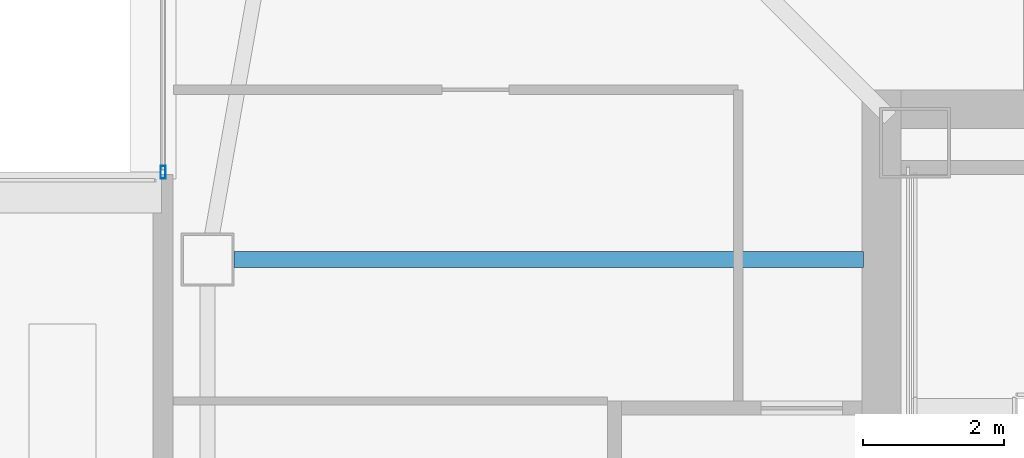
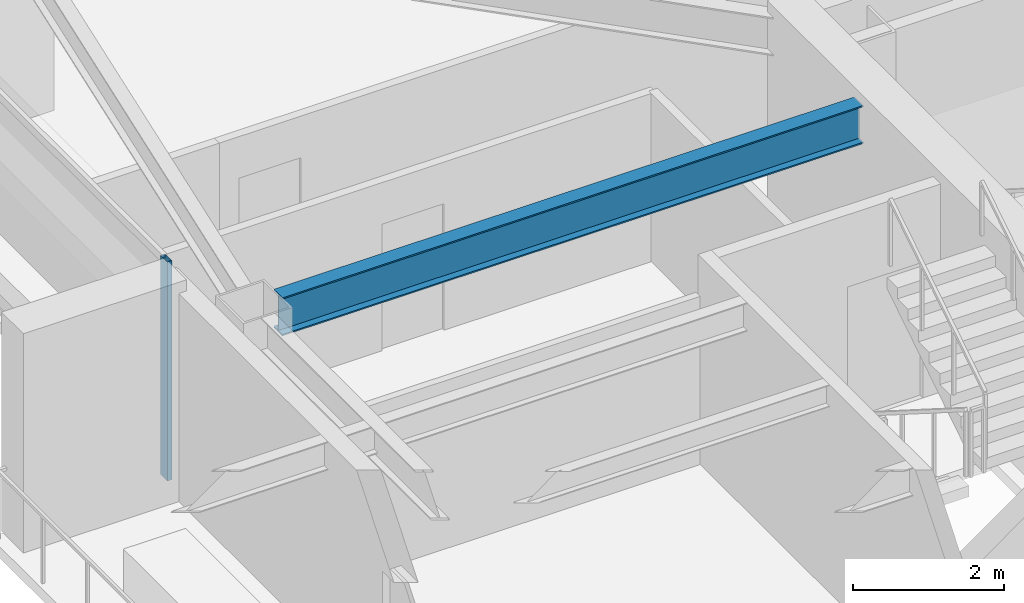
# One storey, part 7 of 41: 1 beam, 1 member, 1 element without a shape of its own.
"""IFC4 building model written with IfcOpenShell, lengths in metres."""

import ifcopenshell
import ifcopenshell.guid

model = None  # the IFC model being written
_history = None  # IfcOwnerHistory: only IFC2X3 demands one
_inside = {}  # id of a spatial element -> (the spatial element, [elements in it])
_under = {}  # id of a project, library or spatial element -> (it, [spatial elements below it])
_declared = {}  # id of a project -> (the project, [libraries it declares])
_typed = {}  # id of a type object -> (the type object, [elements of that type])
_made_of = {}  # id of a material, layer set ... -> (it, [elements and type objects made of it])


def new_model(schema):
    """Start an empty IFC model of exactly this schema.

    Asked for "IFC4X3", IfcOpenShell would pick the latest addendum, in which some entities
    have other attributes; the version numbers below select the first issue.
    IFC2X3 requires an IfcOwnerHistory on every rooted entity: one is made here for all.
    """
    global model, _history
    if schema == "IFC4X3":
        model = ifcopenshell.file(schema_version=(4, 3, 0, 0))
    else:
        model = ifcopenshell.file(schema=schema)
    _inside.clear()
    _under.clear()
    _declared.clear()
    _typed.clear()
    _made_of.clear()
    _history = None
    if model.schema == "IFC2X3":
        org = make("IfcOrganization", Name="unknown")
        user = make(
            "IfcPersonAndOrganization",
            ThePerson=make("IfcPerson", FamilyName="unknown"),
            TheOrganization=org,
        )
        app = make(
            "IfcApplication",
            ApplicationDeveloper=org,
            Version="unknown",
            ApplicationFullName="unknown",
            ApplicationIdentifier="unknown",
        )
        _history = make(
            "IfcOwnerHistory",
            OwningUser=user,
            OwningApplication=app,
            ChangeAction="ADDED",
            CreationDate=0,
        )
    return model


def make(cls, **values):
    """One entity of the class cls with the attributes given. An attribute that is None is left unset."""
    return model.create_entity(
        cls, **{name: value for name, value in values.items() if value is not None}
    )


def rooted(cls, **values):
    """An entity with a GlobalId (a new one), such as an element, a storey or a relation."""
    return make(cls, GlobalId=ifcopenshell.guid.new(), OwnerHistory=_history, **values)


def si_unit(unit_type, name, prefix=None):
    """IfcSIUnit, for example si_unit("LENGTHUNIT", "METRE", prefix="MILLI")."""
    return make("IfcSIUnit", UnitType=unit_type, Prefix=prefix, Name=name)


def assignment(units):
    """IfcUnitAssignment: the units of a project."""
    return None if units is None else make("IfcUnitAssignment", Units=units)


def point(xyz):
    """IfcCartesianPoint."""
    return None if xyz is None else make("IfcCartesianPoint", Coordinates=xyz)


def direction(xyz):
    """IfcDirection."""
    return None if xyz is None else make("IfcDirection", DirectionRatios=xyz)


def frame(location, z_axis=None, x_axis=None):
    """IfcAxis2Placement3D, a coordinate frame: its origin and axes. An axis left out is left unset."""
    return make(
        "IfcAxis2Placement3D",
        Location=point(location),
        Axis=direction(z_axis),
        RefDirection=direction(x_axis),
    )


def frame_2d(location, x_axis=None):
    """IfcAxis2Placement2D, a coordinate frame in the plane: its origin and x axis."""
    return make(
        "IfcAxis2Placement2D", Location=point(location), RefDirection=direction(x_axis)
    )


def origin():
    """The frame at (0, 0, 0) with its axes left unset."""
    return frame((0.0, 0.0, 0.0))


def origin_2d():
    """The frame at (0, 0) in the plane with its x axis left unset."""
    return frame_2d((0.0, 0.0))


def place(relative_to, where):
    """IfcLocalPlacement: puts the frame where relative to a parent placement (None: the world)."""
    return make(
        "IfcLocalPlacement", PlacementRelTo=relative_to, RelativePlacement=where
    )


def context(
    kind, dimensions, precision=None, world=None, true_north=None, identifier=None
):
    """IfcGeometricRepresentationContext, for example the 3D "Model" context."""
    return make(
        "IfcGeometricRepresentationContext",
        ContextIdentifier=identifier,
        ContextType=kind,
        CoordinateSpaceDimension=dimensions,
        Precision=precision,
        WorldCoordinateSystem=world,
        TrueNorth=true_north,
    )


def subcontext(parent, identifier, kind, view, scale=None):
    """IfcGeometricRepresentationSubContext, for example "Body" below "Model"."""
    return make(
        "IfcGeometricRepresentationSubContext",
        ContextIdentifier=identifier,
        ContextType=kind,
        ParentContext=parent,
        TargetScale=scale,
        TargetView=view,
    )


def project(units=None, contexts=None):
    """IfcProject with its units and contexts."""
    return rooted(
        "IfcProject",
        Name="project",
        RepresentationContexts=contexts,
        UnitsInContext=assignment(units),
    )


def spatial(cls, under=None, at=None, **own):
    """A site, building, storey or space (cls), placed at a placement, below another one or the project."""
    s = rooted(cls, ObjectPlacement=at, **own)
    if under is not None:
        _under.setdefault(under.id(), (under, []))[1].append(s)
    return s


def profile(cls, at=None, kind="AREA", **sizes):
    """A parametric profile (cls). Its sizes go by their IFC names, for example OverallWidth=200.0."""
    return make(cls, ProfileType=kind, Position=at, **sizes)


def hollow_rectangle(**sizes):
    """IfcRectangleHollowProfileDef."""
    return profile("IfcRectangleHollowProfileDef", **sizes)


def i_section(**sizes):
    """IfcIShapeProfileDef."""
    return profile("IfcIShapeProfileDef", **sizes)


def extrude(swept, where, along, depth):
    """IfcExtrudedAreaSolid: the profile swept, set in the frame where, extruded along a direction by depth."""
    return make(
        "IfcExtrudedAreaSolid",
        SweptArea=swept,
        Position=where,
        ExtrudedDirection=direction(along),
        Depth=depth,
    )


def shape(context_of_items, identifier, shape_type, items):
    """IfcShapeRepresentation: the items that make up one representation, for example the "Body"."""
    return make(
        "IfcShapeRepresentation",
        ContextOfItems=context_of_items,
        RepresentationIdentifier=identifier,
        RepresentationType=shape_type,
        Items=items,
    )


def material(Name=None, Category=None):
    """IfcMaterial."""
    return make("IfcMaterial", Name=Name, Category=Category)


def material_profile(
    of_material, cross_section, Name=None, Category=None, Priority=None
):
    """IfcMaterialProfile: a cross section and its material."""
    return make(
        "IfcMaterialProfile",
        Name=Name,
        Material=of_material,
        Profile=cross_section,
        Priority=Priority,
        Category=Category,
    )


def profile_set(profiles, Name=None, composite=None):
    """IfcMaterialProfileSet."""
    return make(
        "IfcMaterialProfileSet",
        Name=Name,
        MaterialProfiles=profiles,
        CompositeProfile=composite,
    )


def made_of(thing, what):
    """Note that an element or type object is made of a material, layer set ...; save() writes the relation."""
    if what is not None:
        _made_of.setdefault(what.id(), (what, []))[1].append(thing)
    return thing


def type_object(cls, material=None, **own):
    """A type object (cls), such as IfcWallType, which elements share."""
    return made_of(rooted(cls, **own), material)


def element(
    cls,
    number,
    at=None,
    inside=None,
    cuts=None,
    type_object=None,
    material=None,
    context=None,
    identifier="Body",
    shape_type=None,
    held_by="IfcProductDefinitionShape",
    body=None,
    shapes=None,
    **own,
):
    """One element of the class cls, such as IfcWall. Its Tag is "e" and its number.

    at: its placement. inside: the storey or other place that contains it. cuts: it is an
    opening in that element (IfcRelVoidsElement). A single representation is given by context,
    identifier, shape_type and body (its items); several are given by shapes. held_by: the class
    of the entity that holds the representations. save() writes the other relations.
    """
    e = rooted(cls, Tag="e%d" % number, ObjectPlacement=at, **own)
    if body is not None:
        shapes = [shape(context, identifier, shape_type, body)]
    if shapes is not None:
        e.Representation = make(held_by, Representations=shapes)
    if inside is not None:
        _inside.setdefault(inside.id(), (inside, []))[1].append(e)
    if cuts is not None:
        rooted(
            "IfcRelVoidsElement", RelatingBuildingElement=cuts, RelatedOpeningElement=e
        )
    if type_object is not None:
        _typed.setdefault(type_object.id(), (type_object, []))[1].append(e)
    return made_of(e, material)


def aggregate(whole, parts):
    """IfcRelAggregates: a whole, such as a stair, and the parts it consists of."""
    return rooted("IfcRelAggregates", RelatingObject=whole, RelatedObjects=parts)


def save(model, path):
    """Write the relations noted so far, then the file.

    IfcRelAggregates (storeys below a building ...), IfcRelContainedInSpatialStructure (elements
    in a storey), IfcRelDefinesByType, IfcRelAssociatesMaterial and IfcRelDeclares: one each for
    every whole, place, type object, material and project.
    """
    for whole, parts in _under.values():
        aggregate(whole, parts)
    for where, things in _inside.values():
        rooted(
            "IfcRelContainedInSpatialStructure",
            RelatedElements=things,
            RelatingStructure=where,
        )
    for kind, things in _typed.values():
        rooted("IfcRelDefinesByType", RelatedObjects=things, RelatingType=kind)
    for what, things in _made_of.values():
        rooted("IfcRelAssociatesMaterial", RelatedObjects=things, RelatingMaterial=what)
    for by, libraries in _declared.values():
        rooted("IfcRelDeclares", RelatingContext=by, RelatedDefinitions=libraries)
    model.write(path)


model = new_model("IFC4")

# Units and contexts
model_context = context("Model", 3, precision=1e-05, world=origin(), true_north=direction((0.0, 1.0)))
body_context = subcontext(model_context, "Body", "Model", "MODEL_VIEW")
ifc_project = project(units=[si_unit("LENGTHUNIT", "METRE"), si_unit("AREAUNIT", "SQUARE_METRE"), si_unit("VOLUMEUNIT", "CUBIC_METRE"), si_unit("PLANEANGLEUNIT", "RADIAN"), si_unit("MASSUNIT", "GRAM", prefix="KILO")], contexts=[model_context])

# Site, building, storey
site_placement = place(None, origin())
site = spatial("IfcSite", under=ifc_project, at=site_placement, CompositionType="ELEMENT")
building_placement = place(site_placement, origin())
building = spatial("IfcBuilding", under=site, at=building_placement, Name="Tashvorn Skyway Center", CompositionType="ELEMENT")
storey_placement = place(building_placement, frame((0.0, 0.0, 192.5)))
storey = spatial("IfcBuildingStorey", under=building, at=storey_placement, Name="L52", CompositionType="ELEMENT", Elevation=192.5)

# Beam
ifc_material_1 = material(Name="Steel ASTM A992 Grade 50", Category="steel")
ifc_material_profile_1 = material_profile(ifc_material_1, i_section(OverallWidth=0.22998046875, OverallDepth=0.616943359375, WebThickness=0.01318359375, FlangeThickness=0.022216796875, at=origin_2d()), Name="W24X94")
ifc_profile_set_1 = profile_set([ifc_material_profile_1], Name="Steel ASTM A992 Grade 50")
beam_type = type_object("IfcBeamType", Name="BM-BEAM-W24X94", PredefinedType="BEAM", material=ifc_profile_set_1)
beam_placement = place(storey_placement, frame((25.320068359375, 37.39990234375, 3.0615234375), z_axis=(1.0, 0.0, 0.0), x_axis=(0.0, 1.0, 0.0)))
element("IfcBeam", 1, at=beam_placement, inside=storey, type_object=beam_type, Name="Tower 1 L52 Primary Floor Girder FC-W1", PredefinedType="BEAM", context=body_context, shape_type="SweptSolid", body=[
    extrude(i_section(OverallWidth=0.22998046875, OverallDepth=0.616943359375, WebThickness=0.01318359375, FlangeThickness=0.022216796875, at=origin_2d()), origin(), (0.0, 0.0, 1.0), 8.89990234375),
])

# Curtain wall, member
ifc_material_2 = material(Name="Thermally broken bronze-anodized aluminium 6063-T6", Category="aluminium")
curtain_wall_type = type_object("IfcCurtainWallType", Name="CW-CW-Z4", PredefinedType="NOTDEFINED", material=ifc_material_2)
curtain_wall_placement = place(storey_placement, origin())
curtain_wall = element("IfcCurtainWall", 2, at=curtain_wall_placement, inside=storey, type_object=curtain_wall_type, Name="Tower 1 L52 West Curtain Wall R", PredefinedType="NOTDEFINED")
ifc_material_profile_2 = material_profile(ifc_material_2, hollow_rectangle(XDim=0.070068359375, YDim=0.179931640625, WallThickness=0.00390625, at=origin_2d()), Name="ALU-MULL-70x180")
ifc_profile_set_2 = profile_set([ifc_material_profile_2], Name="Thermally broken bronze-anodized aluminium 6063-T6")
member_type = type_object("IfcMemberType", Name="CWM-CW-Z4", PredefinedType="MULLION", material=ifc_profile_set_2)
member_placement = place(storey_placement, frame((24.320068359375, 38.635009765625, 0.0), z_axis=(0.0, 0.0, 1.0), x_axis=(-1.0, 0.0, 0.0)))
member = element("IfcMember", 3, at=member_placement, type_object=member_type, Name="CW-Z4 mullion 1", PredefinedType="MULLION", context=body_context, shape_type="SweptSolid", body=[
    extrude(hollow_rectangle(XDim=0.070068359375, YDim=0.179931640625, WallThickness=0.00390625, at=origin_2d()), origin(), (0.0, 0.0, 1.0), 3.550048828125),
])
aggregate(curtain_wall, [member])

save(model, "model.ifc")
